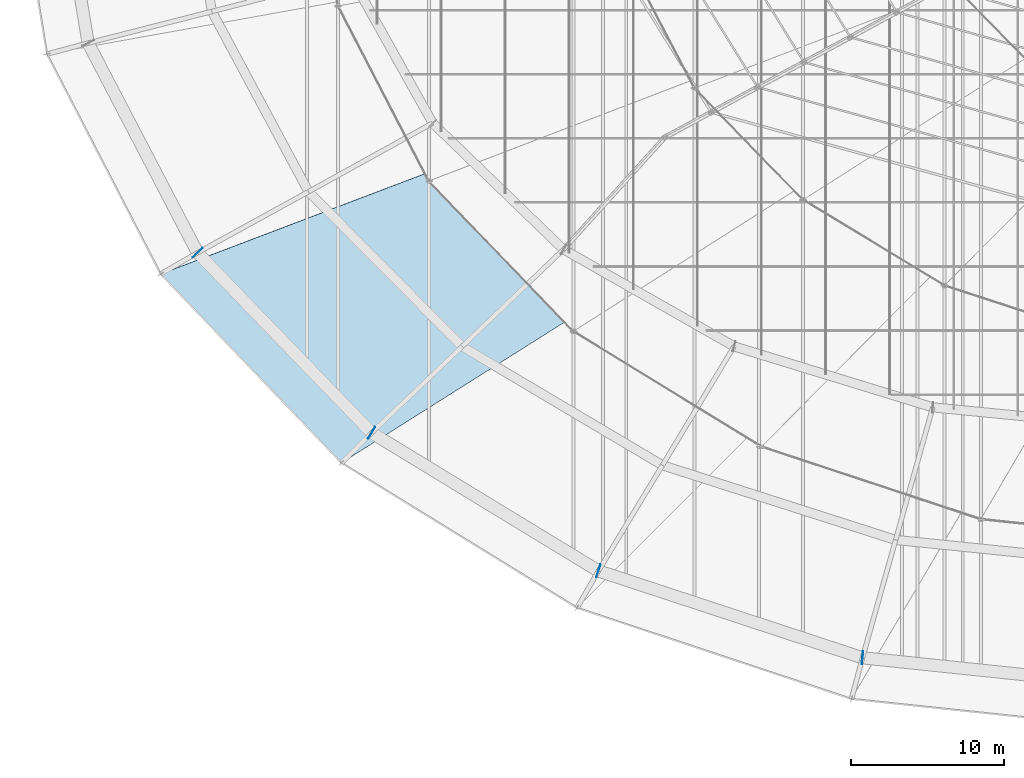
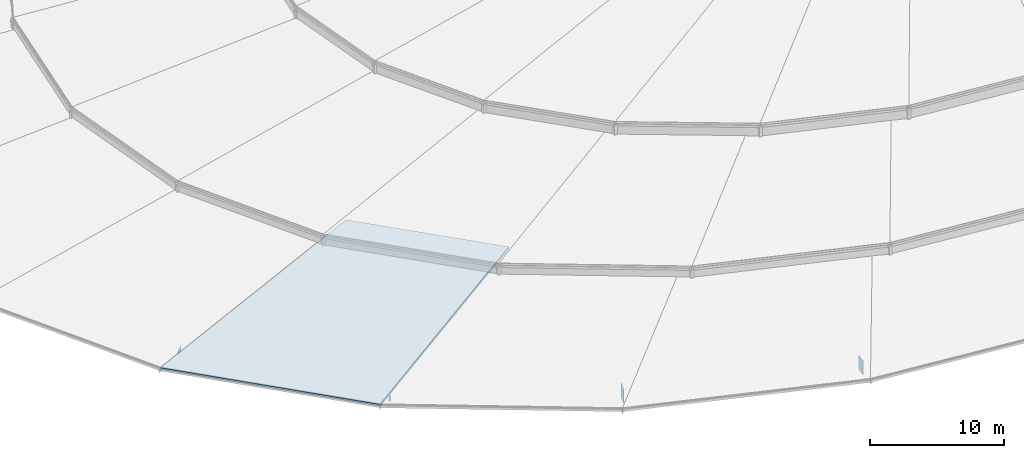
# One storey, part 135 of 184: 4 plates, 1 slab.
"""IFC4 building model written with IfcOpenShell, lengths in metres."""

from ifc_helpers import new_model, si_unit, direction, frame, origin, origin_2d, place, context, subcontext, project, spatial, polyline, rectangle, outline, extrude, material, layer, layer_set, type_object, element, save


model = new_model("IFC4")

# Units and contexts
model_context = context("Model", 3, precision=1e-05, world=origin(), true_north=direction((0.0, 1.0)))
body_context = subcontext(model_context, "Body", "Model", "MODEL_VIEW")
ifc_project = project(units=[si_unit("LENGTHUNIT", "METRE"), si_unit("AREAUNIT", "SQUARE_METRE"), si_unit("VOLUMEUNIT", "CUBIC_METRE"), si_unit("PLANEANGLEUNIT", "RADIAN"), si_unit("MASSUNIT", "GRAM", prefix="KILO")], contexts=[model_context])

# Site, building, storey
site_placement = place(None, origin())
site = spatial("IfcSite", under=ifc_project, at=site_placement, CompositionType="ELEMENT")
building_placement = place(site_placement, origin())
building = spatial("IfcBuilding", under=site, at=building_placement, Name="Kalgoora Escarpment Arena", CompositionType="ELEMENT")
storey_placement = place(building_placement, frame((0.0, 0.0, 27.60009765625)))
storey = spatial("IfcBuildingStorey", under=building, at=storey_placement, Name="Roof Level", CompositionType="ELEMENT", Elevation=27.60009765625)

# Plates
ifc_material_1 = material(Name="Structural steel Grade 350 (350 MPa)", Category="steel")
ifc_layer_1 = layer(ifc_material_1, 0.031982421875)
ifc_layer_set_1 = layer_set([ifc_layer_1], Name="PLT-RING-DIAPH")
plate_type = type_object("IfcPlateType", Name="PLT-RING-DIAPH", PredefinedType="USERDEFINED", material=ifc_layer_set_1)
for number, where, z_axis, x_axis, name in (
    (1, (30.219482421875, 35.5, -2.09033203125), (0.0, 0.0, 1.0), (0.695034920658, -0.718975979477, 0.0), "Compression ring node diaphragm plate 15"),
    (2, (41.629638671875, 23.69482421875, -2.09033203125), (0.0, 0.0, 1.0), (0.854005138885, -0.520264569962, 0.0), "Compression ring node diaphragm plate 16"),
    (3, (56.5, 14.63671875, -2.09033203125), (0.0, 0.0, 1.0), (0.949972051525, -0.312334918512, 0.0), "Compression ring node diaphragm plate 17"),
    (4, (73.81689453125, 8.942138671875, -2.09033203125), (0.0, 0.0, 1.0), (0.994576490014, -0.104007718516, 0.0), "Compression ring node diaphragm plate 18"),
):
    element("IfcPlate", number, at=place(storey_placement, frame(where, z_axis=z_axis, x_axis=x_axis)), inside=storey, type_object=plate_type, Name=name, ObjectType="FLANGE PLATE", PredefinedType="USERDEFINED", context=body_context, shape_type="SweptSolid", body=[
        extrude(rectangle(XDim=0.031982421875, YDim=0.8798828125, at=origin_2d()), origin(), (0.0, 0.0, 1.0), 1.280029296875),
    ])

# Slab
ifc_material_2 = material(Name="White acoustic composite Concrete N40 (fc' 40 MPa)", Category="concrete")
ifc_layer_2 = layer(ifc_material_2, 0.179931640625)
ifc_layer_set_2 = layer_set([ifc_layer_2], Name="SLB-PETAL-RP1")
slab_type = type_object("IfcSlabType", Name="SLB-PETAL-RP1", PredefinedType="ROOF", material=ifc_layer_set_2)
slab_placement = place(storey_placement, frame((27.79443359375, 34.10009765625, -0.840087890625), z_axis=(-0.056954567661, -0.054526891664, 0.996886651184), x_axis=(0.69149513882, -0.722381113374, -5.406872e-06)))
element("IfcSlab", 5, at=slab_placement, inside=storey, type_object=slab_type, Name="Shifted white roof petal RP1 sector 15", PredefinedType="ROOF", context=body_context, shape_type="SweptSolid", body=[
    extrude(outline(polyline([(0.0, 0.0), (17.144696152694173, 0.0), (21.267984451782546, 20.32277584390545), (8.567377518610115, 20.292862138966907), (0.0, 0.0)])), origin(), (0.0, 0.0, -1.0), 0.179931640625),
])

save(model, "model.ifc")
